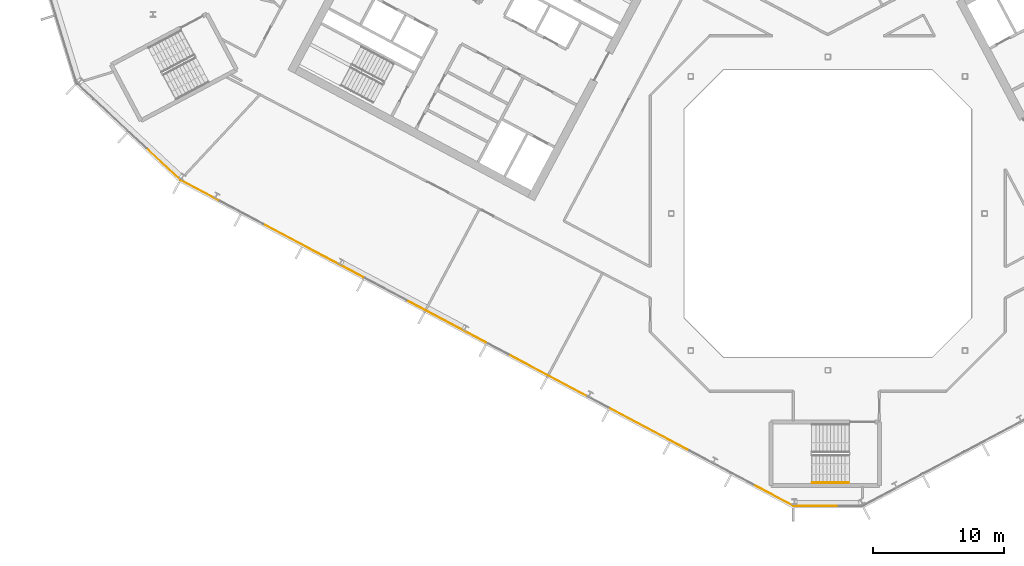
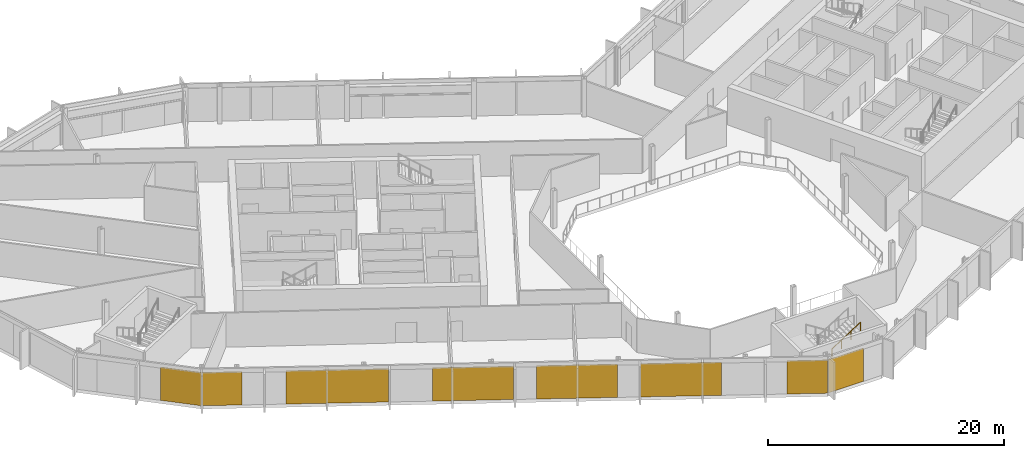
# One storey, part 18 of 26: 8 coverings, 1 railing, 3 elements without a shape of their own.
"""IFC4 building model written with IfcOpenShell, lengths in metres."""

import ifcopenshell
import ifcopenshell.guid

model = None  # the IFC model being written
_history = None  # IfcOwnerHistory: only IFC2X3 demands one
_inside = {}  # id of a spatial element -> (the spatial element, [elements in it])
_under = {}  # id of a project, library or spatial element -> (it, [spatial elements below it])
_declared = {}  # id of a project -> (the project, [libraries it declares])
_typed = {}  # id of a type object -> (the type object, [elements of that type])
_made_of = {}  # id of a material, layer set ... -> (it, [elements and type objects made of it])


def new_model(schema):
    """Start an empty IFC model of exactly this schema.

    Asked for "IFC4X3", IfcOpenShell would pick the latest addendum, in which some entities
    have other attributes; the version numbers below select the first issue.
    IFC2X3 requires an IfcOwnerHistory on every rooted entity: one is made here for all.
    """
    global model, _history
    if schema == "IFC4X3":
        model = ifcopenshell.file(schema_version=(4, 3, 0, 0))
    else:
        model = ifcopenshell.file(schema=schema)
    _inside.clear()
    _under.clear()
    _declared.clear()
    _typed.clear()
    _made_of.clear()
    _history = None
    if model.schema == "IFC2X3":
        org = make("IfcOrganization", Name="unknown")
        user = make(
            "IfcPersonAndOrganization",
            ThePerson=make("IfcPerson", FamilyName="unknown"),
            TheOrganization=org,
        )
        app = make(
            "IfcApplication",
            ApplicationDeveloper=org,
            Version="unknown",
            ApplicationFullName="unknown",
            ApplicationIdentifier="unknown",
        )
        _history = make(
            "IfcOwnerHistory",
            OwningUser=user,
            OwningApplication=app,
            ChangeAction="ADDED",
            CreationDate=0,
        )
    return model


def make(cls, **values):
    """One entity of the class cls with the attributes given. An attribute that is None is left unset."""
    return model.create_entity(
        cls, **{name: value for name, value in values.items() if value is not None}
    )


def rooted(cls, **values):
    """An entity with a GlobalId (a new one), such as an element, a storey or a relation."""
    return make(cls, GlobalId=ifcopenshell.guid.new(), OwnerHistory=_history, **values)


def si_unit(unit_type, name, prefix=None):
    """IfcSIUnit, for example si_unit("LENGTHUNIT", "METRE", prefix="MILLI")."""
    return make("IfcSIUnit", UnitType=unit_type, Prefix=prefix, Name=name)


def assignment(units):
    """IfcUnitAssignment: the units of a project."""
    return None if units is None else make("IfcUnitAssignment", Units=units)


def point(xyz):
    """IfcCartesianPoint."""
    return None if xyz is None else make("IfcCartesianPoint", Coordinates=xyz)


def direction(xyz):
    """IfcDirection."""
    return None if xyz is None else make("IfcDirection", DirectionRatios=xyz)


def frame(location, z_axis=None, x_axis=None):
    """IfcAxis2Placement3D, a coordinate frame: its origin and axes. An axis left out is left unset."""
    return make(
        "IfcAxis2Placement3D",
        Location=point(location),
        Axis=direction(z_axis),
        RefDirection=direction(x_axis),
    )


def frame_2d(location, x_axis=None):
    """IfcAxis2Placement2D, a coordinate frame in the plane: its origin and x axis."""
    return make(
        "IfcAxis2Placement2D", Location=point(location), RefDirection=direction(x_axis)
    )


def origin():
    """The frame at (0, 0, 0) with its axes left unset."""
    return frame((0.0, 0.0, 0.0))


def origin_2d():
    """The frame at (0, 0) in the plane with its x axis left unset."""
    return frame_2d((0.0, 0.0))


def place(relative_to, where):
    """IfcLocalPlacement: puts the frame where relative to a parent placement (None: the world)."""
    return make(
        "IfcLocalPlacement", PlacementRelTo=relative_to, RelativePlacement=where
    )


def context(
    kind, dimensions, precision=None, world=None, true_north=None, identifier=None
):
    """IfcGeometricRepresentationContext, for example the 3D "Model" context."""
    return make(
        "IfcGeometricRepresentationContext",
        ContextIdentifier=identifier,
        ContextType=kind,
        CoordinateSpaceDimension=dimensions,
        Precision=precision,
        WorldCoordinateSystem=world,
        TrueNorth=true_north,
    )


def subcontext(parent, identifier, kind, view, scale=None):
    """IfcGeometricRepresentationSubContext, for example "Body" below "Model"."""
    return make(
        "IfcGeometricRepresentationSubContext",
        ContextIdentifier=identifier,
        ContextType=kind,
        ParentContext=parent,
        TargetScale=scale,
        TargetView=view,
    )


def project(units=None, contexts=None):
    """IfcProject with its units and contexts."""
    return rooted(
        "IfcProject",
        Name="project",
        RepresentationContexts=contexts,
        UnitsInContext=assignment(units),
    )


def spatial(cls, under=None, at=None, **own):
    """A site, building, storey or space (cls), placed at a placement, below another one or the project."""
    s = rooted(cls, ObjectPlacement=at, **own)
    if under is not None:
        _under.setdefault(under.id(), (under, []))[1].append(s)
    return s


def polyline(points):
    """IfcPolyline through the points."""
    return make("IfcPolyline", Points=[point(p) for p in points])


def profile(cls, at=None, kind="AREA", **sizes):
    """A parametric profile (cls). Its sizes go by their IFC names, for example OverallWidth=200.0."""
    return make(cls, ProfileType=kind, Position=at, **sizes)


def rectangle(**sizes):
    """IfcRectangleProfileDef."""
    return profile("IfcRectangleProfileDef", **sizes)


def outline(outer, holes=None, kind="AREA"):
    """IfcArbitraryClosedProfileDef: a profile drawn as a closed curve; with holes, ...WithVoids."""
    if holes is None:
        return make("IfcArbitraryClosedProfileDef", ProfileType=kind, OuterCurve=outer)
    return make(
        "IfcArbitraryProfileDefWithVoids",
        ProfileType=kind,
        OuterCurve=outer,
        InnerCurves=holes,
    )


def extrude(swept, where, along, depth):
    """IfcExtrudedAreaSolid: the profile swept, set in the frame where, extruded along a direction by depth."""
    return make(
        "IfcExtrudedAreaSolid",
        SweptArea=swept,
        Position=where,
        ExtrudedDirection=direction(along),
        Depth=depth,
    )


def shape(context_of_items, identifier, shape_type, items):
    """IfcShapeRepresentation: the items that make up one representation, for example the "Body"."""
    return make(
        "IfcShapeRepresentation",
        ContextOfItems=context_of_items,
        RepresentationIdentifier=identifier,
        RepresentationType=shape_type,
        Items=items,
    )


def material(Name=None, Category=None):
    """IfcMaterial."""
    return make("IfcMaterial", Name=Name, Category=Category)


def layer(
    of_material, thickness, ventilated=None, Name=None, Category=None, Priority=None
):
    """IfcMaterialLayer: one layer of a wall or slab, of a material (None: an air gap)."""
    return make(
        "IfcMaterialLayer",
        Material=of_material,
        LayerThickness=thickness,
        IsVentilated=ventilated,
        Name=Name,
        Category=Category,
        Priority=Priority,
    )


def layer_set(layers, Name=None):
    """IfcMaterialLayerSet."""
    return make("IfcMaterialLayerSet", MaterialLayers=layers, LayerSetName=Name)


def made_of(thing, what):
    """Note that an element or type object is made of a material, layer set ...; save() writes the relation."""
    if what is not None:
        _made_of.setdefault(what.id(), (what, []))[1].append(thing)
    return thing


def type_object(cls, material=None, **own):
    """A type object (cls), such as IfcWallType, which elements share."""
    return made_of(rooted(cls, **own), material)


def element(
    cls,
    number,
    at=None,
    inside=None,
    cuts=None,
    type_object=None,
    material=None,
    context=None,
    identifier="Body",
    shape_type=None,
    held_by="IfcProductDefinitionShape",
    body=None,
    shapes=None,
    **own,
):
    """One element of the class cls, such as IfcWall. Its Tag is "e" and its number.

    at: its placement. inside: the storey or other place that contains it. cuts: it is an
    opening in that element (IfcRelVoidsElement). A single representation is given by context,
    identifier, shape_type and body (its items); several are given by shapes. held_by: the class
    of the entity that holds the representations. save() writes the other relations.
    """
    e = rooted(cls, Tag="e%d" % number, ObjectPlacement=at, **own)
    if body is not None:
        shapes = [shape(context, identifier, shape_type, body)]
    if shapes is not None:
        e.Representation = make(held_by, Representations=shapes)
    if inside is not None:
        _inside.setdefault(inside.id(), (inside, []))[1].append(e)
    if cuts is not None:
        rooted(
            "IfcRelVoidsElement", RelatingBuildingElement=cuts, RelatedOpeningElement=e
        )
    if type_object is not None:
        _typed.setdefault(type_object.id(), (type_object, []))[1].append(e)
    return made_of(e, material)


def aggregate(whole, parts):
    """IfcRelAggregates: a whole, such as a stair, and the parts it consists of."""
    return rooted("IfcRelAggregates", RelatingObject=whole, RelatedObjects=parts)


def save(model, path):
    """Write the relations noted so far, then the file.

    IfcRelAggregates (storeys below a building ...), IfcRelContainedInSpatialStructure (elements
    in a storey), IfcRelDefinesByType, IfcRelAssociatesMaterial and IfcRelDeclares: one each for
    every whole, place, type object, material and project.
    """
    for whole, parts in _under.values():
        aggregate(whole, parts)
    for where, things in _inside.values():
        rooted(
            "IfcRelContainedInSpatialStructure",
            RelatedElements=things,
            RelatingStructure=where,
        )
    for kind, things in _typed.values():
        rooted("IfcRelDefinesByType", RelatedObjects=things, RelatingType=kind)
    for what, things in _made_of.values():
        rooted("IfcRelAssociatesMaterial", RelatedObjects=things, RelatingMaterial=what)
    for by, libraries in _declared.values():
        rooted("IfcRelDeclares", RelatingContext=by, RelatedDefinitions=libraries)
    model.write(path)


model = new_model("IFC4")

# Units and contexts
model_context = context("Model", 3, precision=1e-05, world=origin(), true_north=direction((0.0, 1.0)))
body_context = subcontext(model_context, "Body", "Model", "MODEL_VIEW")
ifc_project = project(units=[si_unit("LENGTHUNIT", "METRE"), si_unit("AREAUNIT", "SQUARE_METRE"), si_unit("VOLUMEUNIT", "CUBIC_METRE"), si_unit("PLANEANGLEUNIT", "RADIAN"), si_unit("MASSUNIT", "GRAM", prefix="KILO")], contexts=[model_context])

# Site, building, storey
site_placement = place(None, origin())
site = spatial("IfcSite", under=ifc_project, at=site_placement, CompositionType="ELEMENT")
building_placement = place(site_placement, origin())
building = spatial("IfcBuilding", under=site, at=building_placement, Name="Cormorant Relay Tower", CompositionType="ELEMENT")
storey_placement = place(building_placement, frame((0.0, 0.0, 213.0)))
storey = spatial("IfcBuildingStorey", under=building, at=storey_placement, Name="L46", CompositionType="ELEMENT", Elevation=213.0)

# Curtain wall, covering
ifc_material_1 = material(Name="Aluminium 6063-T6 anodised bronze", Category="aluminium")
ifc_layer_1 = layer(ifc_material_1, 0.199951171875)
ifc_layer_set_1 = layer_set([ifc_layer_1], Name="CW1 unitised bronze curtain wall with vertical fins")
curtain_wall_type = type_object("IfcCurtainWallType", Name="CW1 unitised bronze curtain wall with vertical fins", PredefinedType="NOTDEFINED", material=ifc_layer_set_1)
curtain_wall_1_placement = place(storey_placement, origin())
curtain_wall_1 = element("IfcCurtainWall", 1, at=curtain_wall_1_placement, inside=storey, type_object=curtain_wall_type, Name="CW1 curtain wall 1", PredefinedType="NOTDEFINED")
ifc_material_2 = material(Name="Pale bronze anodised aluminium insulated panel", Category="aluminium")
ifc_layer_2 = layer(ifc_material_2, 0.0400390625)
ifc_layer_set_2 = layer_set([ifc_layer_2], Name="CW1 pale bronze insulated panel 40")
covering_type = type_object("IfcCoveringType", Name="CW1 pale bronze insulated panel 40", PredefinedType="CLADDING", material=ifc_layer_set_2)
covering_1_placement = place(storey_placement, frame((-0.862548828125, -22.3955078125, 0.0), z_axis=(0.0, 0.0, 1.0), x_axis=(1.0, 0.0, 0.0)))
covering_1 = element("IfcCovering", 2, at=covering_1_placement, type_object=covering_type, Name="CW1 panel S00", PredefinedType="CLADDING", context=body_context, shape_type="SweptSolid", body=[
    extrude(rectangle(XDim=3.422607421875, YDim=0.0400390625, at=origin_2d()), origin(), (0.0, 0.0, 1.0), 3.449951171875),
])
aggregate(curtain_wall_1, [covering_1])

curtain_wall_2_placement = place(storey_placement, origin())
curtain_wall_2 = element("IfcCurtainWall", 3, at=curtain_wall_2_placement, inside=storey, type_object=curtain_wall_type, Name="CW1 curtain wall 15", PredefinedType="NOTDEFINED")
covering_2_placement = place(storey_placement, frame((-50.906982421875, 3.78369140625, 0.0), z_axis=(0.0, 0.0, 1.0), x_axis=(0.731353701619, -0.681998360062, 0.0)))
covering_2 = element("IfcCovering", 4, at=covering_2_placement, type_object=covering_type, Name="CW1 panel S03", PredefinedType="CLADDING", context=body_context, shape_type="SweptSolid", body=[
    extrude(rectangle(XDim=3.560302734375, YDim=0.0400390625, at=origin_2d()), origin(), (0.0, 0.0, 1.0), 3.449951171875),
])
aggregate(curtain_wall_2, [covering_2])

# Curtain wall, coverings
curtain_wall_3_placement = place(storey_placement, origin())
curtain_wall_3 = element("IfcCurtainWall", 5, at=curtain_wall_3_placement, inside=storey, type_object=curtain_wall_type, Name="CW1 curtain wall 16", PredefinedType="NOTDEFINED")
covering_3_placement = place(storey_placement, frame((-48.048583984375, 1.7412109375, 0.0), z_axis=(0.0, 0.0, 1.0), x_axis=(0.882947592859, -0.469471562786, 0.0)))
covering_3 = element("IfcCovering", 6, at=covering_3_placement, type_object=covering_type, Name="CW1 panel S00", PredefinedType="CLADDING", context=body_context, shape_type="SweptSolid", body=[
    extrude(rectangle(XDim=3.36669921875, YDim=0.0400390625, at=origin_2d()), origin(), (0.0, 0.0, 1.0), 3.449951171875),
])
covering_4_placement = place(storey_placement, frame((-39.417724609375, -2.847900390625, 0.0), z_axis=(0.0, 0.0, 1.0), x_axis=(0.882947592859, -0.469471562786, 0.0)))
covering_4 = element("IfcCovering", 7, at=covering_4_placement, type_object=covering_type, Name="CW1 panel S03", PredefinedType="CLADDING", context=body_context, shape_type="SweptSolid", body=[
    extrude(rectangle(XDim=8.68310546875, YDim=0.0400390625, at=origin_2d()), origin(), (0.0, 0.0, 1.0), 3.449951171875),
])
covering_5_placement = place(storey_placement, frame((-29.234619140625, -8.26220703125, 0.0), z_axis=(0.0, 0.0, 1.0), x_axis=(0.882947592859, -0.469471562786, 0.0)))
covering_5 = element("IfcCovering", 8, at=covering_5_placement, type_object=covering_type, Name="CW1 panel S05", PredefinedType="CLADDING", context=body_context, shape_type="SweptSolid", body=[
    extrude(rectangle(XDim=6.88330078125, YDim=0.0400390625, at=origin_2d()), origin(), (0.0, 0.0, 1.0), 3.449951171875),
])
covering_6_placement = place(storey_placement, frame((-21.435302734375, -12.4091796875, 0.0), z_axis=(0.0, 0.0, 1.0), x_axis=(0.882947592859, -0.469471562786, 0.0)))
covering_6 = element("IfcCovering", 9, at=covering_6_placement, type_object=covering_type, Name="CW1 panel S07", PredefinedType="CLADDING", context=body_context, shape_type="SweptSolid", body=[
    extrude(rectangle(XDim=6.88330078125, YDim=0.0400390625, at=origin_2d()), origin(), (0.0, 0.0, 1.0), 3.449951171875),
])
covering_7_placement = place(storey_placement, frame((-13.635986328125, -16.55615234375, 0.0), z_axis=(0.0, 0.0, 1.0), x_axis=(0.882947592859, -0.469471562786, 0.0)))
covering_7 = element("IfcCovering", 10, at=covering_7_placement, type_object=covering_type, Name="CW1 panel S09", PredefinedType="CLADDING", context=body_context, shape_type="SweptSolid", body=[
    extrude(rectangle(XDim=6.88330078125, YDim=0.0400390625, at=origin_2d()), origin(), (0.0, 0.0, 1.0), 3.449951171875),
])
covering_8_placement = place(storey_placement, frame((-4.177490234375, -21.58544921875, 0.0), z_axis=(0.0, 0.0, 1.0), x_axis=(0.882947592859, -0.469471562786, 0.0)))
covering_8 = element("IfcCovering", 11, at=covering_8_placement, type_object=covering_type, Name="CW1 panel S12", PredefinedType="CLADDING", context=body_context, shape_type="SweptSolid", body=[
    extrude(rectangle(XDim=3.441650390625, YDim=0.0400390625, at=origin_2d()), origin(), (0.0, 0.0, 1.0), 3.449951171875),
])
aggregate(curtain_wall_3, [covering_3, covering_4, covering_5, covering_6, covering_7, covering_8])

# Railing
ifc_material_3 = material(Name="Steel ASTM A572 Grade 50 (Fy 345 MPa)", Category="steel")
railing_type = type_object("IfcRailingType", Name="Stair handrail 900", PredefinedType="HANDRAIL", material=ifc_material_3)
railing_placement = place(storey_placement, frame((-1.199951171875, -20.625, 2.127197265625)))
element("IfcRailing", 12, at=railing_placement, inside=storey, type_object=railing_type, Name="L46 RK1 stair handrail 2", PredefinedType="HANDRAIL", context=body_context, shape_type="SweptSolid", body=[
    extrude(outline(polyline([(0.022216796875, 0.00927734375), (0.00927734375, 0.022216796875), (-0.00927734375, 0.022216796875), (-0.022216796875, 0.00927734375), (-0.022216796875, -0.00927734375), (-0.00927734375, -0.022216796875), (0.00927734375, -0.022216796875), (0.022216796875, -0.00927734375), (0.022216796875, 0.00927734375)])), frame((0.0, 0.0, 0.8759765625), z_axis=(0.844908973607, 0.0, 0.534910110503), x_axis=(0.0, 1.0, 0.0)), (0.0, 0.0, 1.0), 3.31396484375),
    extrude(outline(polyline([(0.019287109375, 0.008056640625), (0.008056640625, 0.019287109375), (-0.008056640625, 0.019287109375), (-0.019287109375, 0.008056640625), (-0.019287109375, -0.008056640625), (-0.008056640625, -0.019287109375), (0.008056640625, -0.019287109375), (0.019287109375, -0.008056640625), (0.019287109375, 0.008056640625)])), origin(), (0.0, 0.0, 1.0), 0.851806640625),
    extrude(outline(polyline([(0.019287109375, 0.008056640625), (0.008056640625, 0.019287109375), (-0.008056640625, 0.019287109375), (-0.019287109375, 0.008056640625), (-0.019287109375, -0.008056640625), (-0.008056640625, -0.019287109375), (0.008056640625, -0.019287109375), (0.019287109375, -0.008056640625), (0.019287109375, 0.008056640625)])), frame((0.933349609375, 0.0, 0.5908203125)), (0.0, 0.0, 1.0), 0.851806640625),
    extrude(outline(polyline([(0.019287109375, 0.008056640625), (0.008056640625, 0.019287109375), (-0.008056640625, 0.019287109375), (-0.019287109375, 0.008056640625), (-0.019287109375, -0.008056640625), (-0.008056640625, -0.019287109375), (0.008056640625, -0.019287109375), (0.019287109375, -0.008056640625), (0.019287109375, 0.008056640625)])), frame((1.86669921875, 0.0, 1.181884765625)), (0.0, 0.0, 1.0), 0.851806640625),
    extrude(outline(polyline([(0.019287109375, 0.008056640625), (0.008056640625, 0.019287109375), (-0.008056640625, 0.019287109375), (-0.019287109375, 0.008056640625), (-0.019287109375, -0.008056640625), (-0.008056640625, -0.019287109375), (0.008056640625, -0.019287109375), (0.019287109375, -0.008056640625), (0.019287109375, 0.008056640625)])), frame((2.800048828125, 0.0, 1.772705078125)), (0.0, 0.0, 1.0), 0.851806640625),
])

save(model, "model.ifc")
